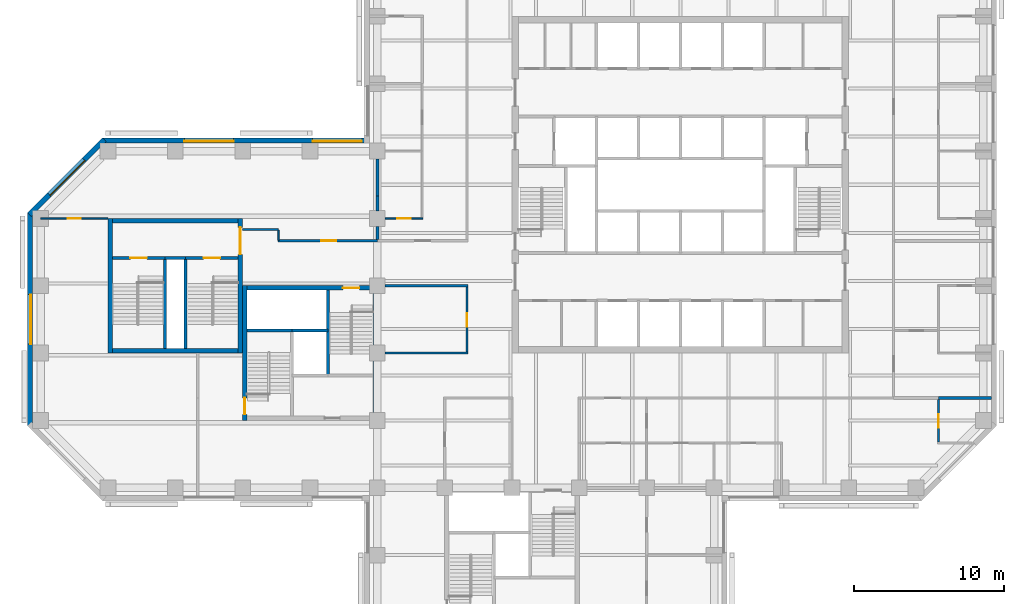
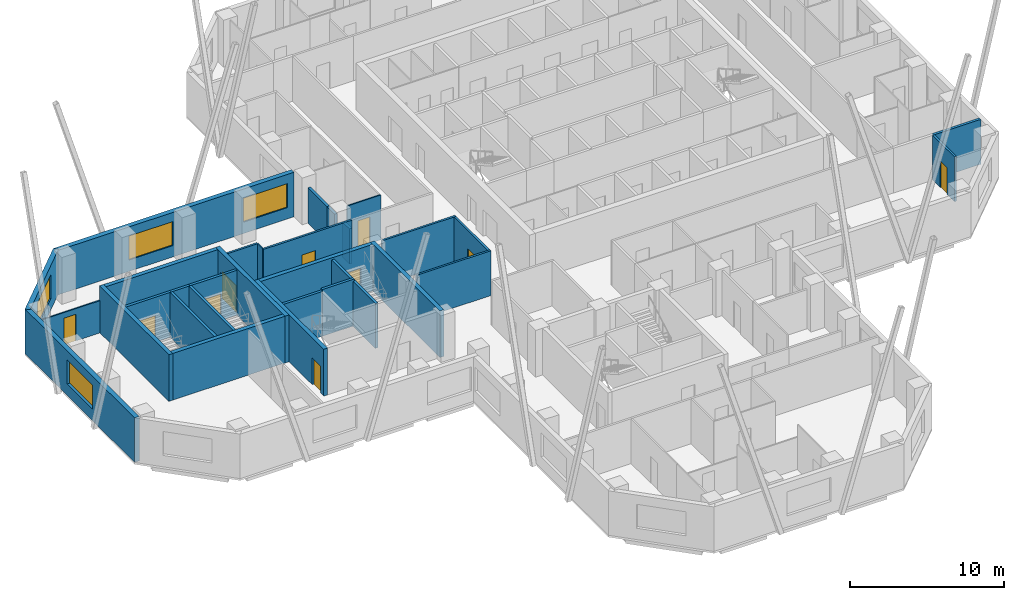
# One storey, part 5 of 11: 31 walls, 10 doors, 4 windows, 14 openings.
"""IFC4 building model written with IfcOpenShell, lengths in metres."""

from ifc_helpers import new_model, si_unit, direction, frame, frame_2d, origin, place, context, subcontext, project, spatial, rectangle, extrude, material, layer, layer_set, constituent, constituent_set, type_object, element, fill, save


model = new_model("IFC4")

# Units and contexts
model_context = context("Model", 3, precision=1e-05, world=origin(), true_north=direction((0.0, 1.0)))
body_context = subcontext(model_context, "Body", "Model", "MODEL_VIEW")
ifc_project = project(units=[si_unit("LENGTHUNIT", "METRE"), si_unit("AREAUNIT", "SQUARE_METRE"), si_unit("VOLUMEUNIT", "CUBIC_METRE"), si_unit("PLANEANGLEUNIT", "RADIAN"), si_unit("MASSUNIT", "GRAM", prefix="KILO")], contexts=[model_context])

# Site, building, storey
site_placement = place(None, origin())
site = spatial("IfcSite", under=ifc_project, at=site_placement, CompositionType="ELEMENT")
building_placement = place(site_placement, origin())
building = spatial("IfcBuilding", under=site, at=building_placement, Name="Quoin Convention Tower", CompositionType="ELEMENT")
storey_placement = place(building_placement, frame((0.0, 0.0, 112.199951171875)))
storey = spatial("IfcBuildingStorey", under=building, at=storey_placement, Name="L29", CompositionType="ELEMENT", Elevation=112.199951171875)

# Wall, openings, windows
ifc_material_1 = material(Name="Brick masonry", Category="masonry")
ifc_layer_1 = layer(ifc_material_1, 0.35009765625)
ifc_layer_set_1 = layer_set([ifc_layer_1], Name="Brick masonry")
wall_type_1 = type_object("IfcWallType", Name="Brick facade wall", PredefinedType="STANDARD", material=ifc_layer_set_1)
wall_1_placement = place(storey_placement, frame((35.47509765625, 63.699951171875, 0.0), z_axis=(0.0, 0.0, 1.0), x_axis=(-1.0, 0.0, 0.0)))
wall_1 = element("IfcWall", 1, at=wall_1_placement, inside=storey, type_object=wall_type_1, Name="fw-L29-36000_63000", PredefinedType="STANDARD", context=body_context, shape_type="SweptSolid", body=[
    extrude(rectangle(XDim=17.83740234375, YDim=0.35009765625, at=frame_2d((8.918701171875, 0.0))), origin(), (0.0, 0.0, 1.0), 3.525146484375),
])
opening_1_placement = place(wall_1_placement, frame((0.5, 0.0, 0.89990234375)))
opening_1 = element("IfcOpeningElement", 2, at=opening_1_placement, cuts=wall_1, Name="Opening W-02", PredefinedType="OPENING", context=body_context, shape_type="SweptSolid", body=[
    extrude(rectangle(XDim=3.300048828125, YDim=1.89990234375, at=frame_2d((1.64990234375, 0.949951171875))), frame((0.0, 0.18505859375, 0.0), z_axis=(0.0, -1.0, 0.0), x_axis=(1.0, 0.0, 0.0)), (0.0, 0.0, 1.0), 0.3701171875),
])
opening_2_placement = place(wall_1_placement, frame((9.074951171875, 0.0, 0.89990234375)))
opening_2 = element("IfcOpeningElement", 3, at=opening_2_placement, cuts=wall_1, Name="Opening W-02", PredefinedType="OPENING", context=body_context, shape_type="SweptSolid", body=[
    extrude(rectangle(XDim=3.300048828125, YDim=1.89990234375, at=frame_2d((1.64990234375, 0.949951171875))), frame((0.0, 0.18505859375, 0.0), z_axis=(0.0, -1.0, 0.0), x_axis=(1.0, 0.0, 0.0)), (0.0, 0.0, 1.0), 0.3701171875),
])
ifc_material_2 = material(Name="Aluminium", Category="aluminium")
ifc_constituent_1 = constituent(ifc_material_2, Name="Frame")
ifc_material_3 = material(Name="Insulated glass", Category="glass")
ifc_constituent_2 = constituent(ifc_material_3, Name="Glazing")
ifc_constituent_set = constituent_set(constituents=[ifc_constituent_1, ifc_constituent_2], Name="Aluminium")
window_type = type_object("IfcWindowType", Name="Office window", PartitioningType="DOUBLE_PANEL_VERTICAL", PredefinedType="WINDOW", material=ifc_constituent_set)
window_1_placement = place(opening_1_placement, origin())
window_1 = element("IfcWindow", 4, at=window_1_placement, inside=storey, type_object=window_type, Name="win-L29-33750_63700", OverallHeight=1.89990234375, OverallWidth=3.300048828125, PartitioningType="SINGLE_PANEL", PredefinedType="WINDOW", context=body_context, shape_type="SweptSolid", body=[
    extrude(rectangle(XDim=3.300048828125, YDim=1.89990234375, at=frame_2d((1.64990234375, 0.949951171875))), frame((0.0, 0.0849609375, 0.0), z_axis=(0.0, -1.0, 0.0), x_axis=(1.0, 0.0, 0.0)), (0.0, 0.0, 1.0), 0.06005859375),
])
fill(opening_1, window_1)
window_2_placement = place(opening_2_placement, origin())
window_2 = element("IfcWindow", 5, at=window_2_placement, inside=storey, type_object=window_type, Name="win-L29-24750_63700", OverallHeight=1.89990234375, OverallWidth=3.300048828125, PartitioningType="SINGLE_PANEL", PredefinedType="WINDOW", context=body_context, shape_type="SweptSolid", body=[
    extrude(rectangle(XDim=3.300048828125, YDim=1.89990234375, at=frame_2d((1.64990234375, 0.949951171875))), frame((0.0, 0.0849609375, 0.0), z_axis=(0.0, -1.0, 0.0), x_axis=(1.0, 0.0, 0.0)), (0.0, 0.0, 1.0), 0.06005859375),
])
fill(opening_2, window_2)

# Wall, opening, window
wall_2_placement = place(storey_placement, frame((17.76123046875, 63.751220703125, 0.0), z_axis=(0.0, 0.0, 1.0), x_axis=(-0.707106781187, -0.707106781187, 0.0)))
wall_2 = element("IfcWall", 6, at=wall_2_placement, inside=storey, type_object=wall_type_1, Name="fw-L29-18000_63000", PredefinedType="STANDARD", context=body_context, shape_type="SweptSolid", body=[
    extrude(rectangle(XDim=7.088623046875, YDim=0.35009765625, at=frame_2d((3.54443359375, 0.0))), origin(), (0.0, 0.0, 1.0), 3.525146484375),
])
opening_3_placement = place(wall_2_placement, frame((1.894287109375, 0.0, 0.89990234375)))
opening_3 = element("IfcOpeningElement", 7, at=opening_3_placement, cuts=wall_2, Name="Opening W-02", PredefinedType="OPENING", context=body_context, shape_type="SweptSolid", body=[
    extrude(rectangle(XDim=3.300048828125, YDim=1.89990234375, at=frame_2d((1.64990234375, 0.949951171875))), frame((0.0, 0.18505859375, 0.0), z_axis=(0.0, -1.0, 0.0), x_axis=(1.0, 0.0, 0.0)), (0.0, 0.0, 1.0), 0.3701171875),
])
window_3_placement = place(opening_3_placement, origin())
window_3 = element("IfcWindow", 8, at=window_3_placement, inside=storey, type_object=window_type, Name="win-L29-15255_61245", OverallHeight=1.89990234375, OverallWidth=3.300048828125, PartitioningType="SINGLE_PANEL", PredefinedType="WINDOW", context=body_context, shape_type="SweptSolid", body=[
    extrude(rectangle(XDim=3.300048828125, YDim=1.89990234375, at=frame_2d((1.64990234375, 0.949951171875))), frame((0.0, 0.0849609375, 0.0), z_axis=(0.0, -1.0, 0.0), x_axis=(1.0, 0.0, 0.0)), (0.0, 0.0, 1.0), 0.06005859375),
])
fill(opening_3, window_3)

wall_3_placement = place(storey_placement, frame((12.800048828125, 58.8623046875, 0.0), z_axis=(0.0, 0.0, 1.0), x_axis=(0.0, -1.0, 0.0)))
wall_3 = element("IfcWall", 9, at=wall_3_placement, inside=storey, type_object=wall_type_1, Name="fw-L29-13500_58500", PredefinedType="STANDARD", context=body_context, shape_type="SweptSolid", body=[
    extrude(rectangle(XDim=14.224609375, YDim=0.35009765625, at=frame_2d((7.1123046875, 0.0))), origin(), (0.0, 0.0, 1.0), 3.525146484375),
])
opening_4_placement = place(wall_3_placement, frame((5.46240234375, 0.0, 0.89990234375)))
opening_4 = element("IfcOpeningElement", 10, at=opening_4_placement, cuts=wall_3, Name="Opening W-02", PredefinedType="OPENING", context=body_context, shape_type="SweptSolid", body=[
    extrude(rectangle(XDim=3.300048828125, YDim=1.89990234375, at=frame_2d((1.64990234375, 0.949951171875))), frame((0.0, 0.18505859375, 0.0), z_axis=(0.0, -1.0, 0.0), x_axis=(1.0, 0.0, 0.0)), (0.0, 0.0, 1.0), 0.3701171875),
])
window_4_placement = place(opening_4_placement, origin())
window_4 = element("IfcWindow", 11, at=window_4_placement, inside=storey, type_object=window_type, Name="win-L29-12800_51750", OverallHeight=1.89990234375, OverallWidth=3.300048828125, PartitioningType="SINGLE_PANEL", PredefinedType="WINDOW", context=body_context, shape_type="SweptSolid", body=[
    extrude(rectangle(XDim=3.300048828125, YDim=1.89990234375, at=frame_2d((1.64990234375, 0.949951171875))), frame((0.0, 0.0849609375, 0.0), z_axis=(0.0, -1.0, 0.0), x_axis=(1.0, 0.0, 0.0)), (0.0, 0.0, 1.0), 0.06005859375),
])
fill(opening_4, window_4)

# Walls
ifc_material_4 = material(Name="Concrete C50", Category="concrete")
ifc_layer_2 = layer(ifc_material_4, 0.199951171875)
ifc_layer_set_2 = layer_set([ifc_layer_2], Name="Concrete C50")
wall_type_2 = type_object("IfcWallType", Name="Core shaft wall", PredefinedType="SOLIDWALL", material=ifc_layer_set_2)
wall_4_placement = place(storey_placement, frame((27.300048828125, 51.0, 0.0), z_axis=(0.0, 0.0, 1.0), x_axis=(1.0, 0.0, 0.0)))
element("IfcWall", 12, at=wall_4_placement, inside=storey, type_object=wall_type_2, Name="cr-P2-L29-h6000_300", PredefinedType="SOLIDWALL", context=body_context, shape_type="SweptSolid", body=[
    extrude(rectangle(XDim=3.0, YDim=0.199951171875, at=frame_2d((1.5, 0.0))), origin(), (0.0, 0.0, 1.0), 3.550048828125),
])
wall_5_placement = place(storey_placement, frame((32.699951171875, 48.0, 0.0), z_axis=(0.0, 0.0, 1.0), x_axis=(0.0, 1.0, 0.0)))
element("IfcWall", 13, at=wall_5_placement, inside=storey, type_object=wall_type_2, Name="cr-P2-L29-v5700_3000", PredefinedType="SOLIDWALL", context=body_context, shape_type="SweptSolid", body=[
    extrude(rectangle(XDim=5.699951171875, YDim=0.199951171875, at=frame_2d((2.85009765625, 0.0))), origin(), (0.0, 0.0, 1.0), 3.550048828125),
])
wall_6_placement = place(storey_placement, frame((21.800048828125, 55.85009765625, 0.0), z_axis=(0.0, 0.0, 1.0), x_axis=(1.0, 0.0, 0.0)))
element("IfcWall", 14, at=wall_6_placement, inside=storey, type_object=wall_type_2, Name="cr-P6-L29-h6350_3800", PredefinedType="SOLIDWALL", context=body_context, shape_type="SweptSolid", body=[
    extrude(rectangle(XDim=1.39990234375, YDim=0.199951171875, at=frame_2d((0.699951171875, 0.0))), origin(), (0.0, 0.0, 1.0), 3.550048828125),
])

# Wall, opening, door
wall_7_placement = place(storey_placement, frame((18.300048828125, 55.85009765625, 0.0), z_axis=(0.0, 0.0, 1.0), x_axis=(1.0, 0.0, 0.0)))
wall_7 = element("IfcWall", 15, at=wall_7_placement, inside=storey, type_object=wall_type_2, Name="cr-P6-L29-h6350_300", PredefinedType="SOLIDWALL", context=body_context, shape_type="SweptSolid", body=[
    extrude(rectangle(XDim=3.5, YDim=0.199951171875, at=frame_2d((1.75, 0.0))), origin(), (0.0, 0.0, 1.0), 3.550048828125),
])
opening_5_placement = place(wall_7_placement, frame((1.199951171875, 0.0, 0.0)))
opening_5 = element("IfcOpeningElement", 16, at=opening_5_placement, cuts=wall_7, Name="Opening SD11", PredefinedType="OPENING", context=body_context, shape_type="SweptSolid", body=[
    extrude(rectangle(XDim=1.10009765625, YDim=2.10009765625, at=frame_2d((0.550048828125, 1.050048828125))), frame((0.0, 0.10986328125, 0.0), z_axis=(0.0, -1.0, 0.0), x_axis=(1.0, 0.0, 0.0)), (0.0, 0.0, 1.0), 0.219970703125),
])
ifc_material_5 = material(Name="Steel door leaf", Category="steel")
door_type_1 = type_object("IfcDoorType", Name="Stair door 1100 x 2100", OperationType="SINGLE_SWING_RIGHT", PredefinedType="DOOR", material=ifc_material_5)
door_1_placement = place(opening_5_placement, origin())
door_1 = element("IfcDoor", 17, at=door_1_placement, inside=storey, type_object=door_type_1, Name="cd-P6-L29-SA-R2-SD11", OperationType="SINGLE_SWING_RIGHT", OverallHeight=2.10009765625, OverallWidth=1.10009765625, PredefinedType="DOOR", context=body_context, shape_type="SweptSolid", body=[
    extrude(rectangle(XDim=1.10009765625, YDim=2.10009765625, at=frame_2d((0.550048828125, 1.050048828125))), frame((0.0, 0.02490234375, 0.0), z_axis=(0.0, -1.0, 0.0), x_axis=(1.0, 0.0, 0.0)), (0.0, 0.0, 1.0), 0.050048828125),
])
fill(opening_5, door_1)

wall_8_placement = place(storey_placement, frame((23.199951171875, 55.85009765625, 0.0), z_axis=(0.0, 0.0, 1.0), x_axis=(1.0, 0.0, 0.0)))
wall_8 = element("IfcWall", 18, at=wall_8_placement, inside=storey, type_object=wall_type_2, Name="cr-P6-L29-h6350_5200", PredefinedType="SOLIDWALL", context=body_context, shape_type="SweptSolid", body=[
    extrude(rectangle(XDim=3.5, YDim=0.199951171875, at=frame_2d((1.75, 0.0))), origin(), (0.0, 0.0, 1.0), 3.550048828125),
])
opening_6_placement = place(wall_8_placement, frame((1.199951171875, 0.0, 0.0)))
opening_6 = element("IfcOpeningElement", 19, at=opening_6_placement, cuts=wall_8, Name="Opening SD12", PredefinedType="OPENING", context=body_context, shape_type="SweptSolid", body=[
    extrude(rectangle(XDim=1.10009765625, YDim=2.10009765625, at=frame_2d((0.550048828125, 1.050048828125))), frame((0.0, 0.10986328125, 0.0), z_axis=(0.0, -1.0, 0.0), x_axis=(1.0, 0.0, 0.0)), (0.0, 0.0, 1.0), 0.219970703125),
])
door_2_placement = place(opening_6_placement, origin())
door_2 = element("IfcDoor", 20, at=door_2_placement, inside=storey, type_object=door_type_1, Name="cd-P6-L29-SB-R2-SD12", OperationType="SINGLE_SWING_RIGHT", OverallHeight=2.10009765625, OverallWidth=1.10009765625, PredefinedType="DOOR", context=body_context, shape_type="SweptSolid", body=[
    extrude(rectangle(XDim=1.10009765625, YDim=2.10009765625, at=frame_2d((0.550048828125, 1.050048828125))), frame((0.0, 0.02490234375, 0.0), z_axis=(0.0, -1.0, 0.0), x_axis=(1.0, 0.0, 0.0)), (0.0, 0.0, 1.0), 0.050048828125),
])
fill(opening_6, door_2)

# Walls
for number, where, z_axis, x_axis, name in (
    (21, (21.800048828125, 49.800048828125, 0.0), (0.0, 0.0, 1.0), (0.0, 1.0, 0.0), "cr-P6-L29-v3800_300"),
    (22, (23.199951171875, 49.800048828125, 0.0), (0.0, 0.0, 1.0), (0.0, 1.0, 0.0), "cr-P6-L29-v5200_300"),
):
    element("IfcWall", number, at=place(storey_placement, frame(where, z_axis=z_axis, x_axis=x_axis)), inside=storey, type_object=wall_type_2, Name=name, PredefinedType="SOLIDWALL", context=body_context, shape_type="SweptSolid", body=[
        extrude(rectangle(XDim=6.050048828125, YDim=0.199951171875, at=frame_2d((3.02490234375, 0.0))), origin(), (0.0, 0.0, 1.0), 3.550048828125),
    ])
ifc_layer_3 = layer(ifc_material_4, 0.199951171875)
ifc_layer_set_3 = layer_set([ifc_layer_3], Name="Concrete C50")
wall_type_3 = type_object("IfcWallType", Name="Core shaft wall to the floor level over", PredefinedType="SOLIDWALL", material=ifc_layer_set_3)
wall_9_placement = place(storey_placement, frame((30.300048828125, 51.0, 0.0), z_axis=(0.0, 0.0, 1.0), x_axis=(1.0, 0.0, 0.0)))
element("IfcWall", 23, at=wall_9_placement, inside=storey, type_object=wall_type_3, Name="cr-P2-L29-h6000_3300", PredefinedType="SOLIDWALL", context=body_context, shape_type="SweptSolid", body=[
    extrude(rectangle(XDim=2.39990234375, YDim=0.199951171875, at=frame_2d((1.199951171875, 0.0))), origin(), (0.0, 0.0, 1.0), 3.699951171875),
])
ifc_material_6 = material(Name="Plasterboard")
ifc_layer_4 = layer(ifc_material_6, 0.012451171875, Name="Finish")
ifc_material_7 = material(Name="Steel stud framing", Category="steel")
ifc_layer_5 = layer(ifc_material_7, 0.125, Name="Structure")
ifc_layer_6 = layer(ifc_material_6, 0.012451171875, Name="Finish")
ifc_layer_set_4 = layer_set([ifc_layer_4, ifc_layer_5, ifc_layer_6], Name="Steel stud framing")
wall_type_4 = type_object("IfcWallType", Name="Corridor wall 150", PredefinedType="PARTITIONING", material=ifc_layer_set_4)
for number, where, z_axis, x_axis, name in (
    (24, (36.52490234375, 49.5, 0.0), (0.0, 0.0, 1.0), (1.0, 0.0, 0.0), "pw-L29-026"),
    (25, (36.52490234375, 54.0, 0.0), (0.0, 0.0, 1.0), (1.0, 0.0, 0.0), "pw-L29-031"),
):
    element("IfcWall", number, at=place(storey_placement, frame(where, z_axis=z_axis, x_axis=x_axis)), inside=storey, type_object=wall_type_4, Name=name, PredefinedType="PARTITIONING", context=body_context, shape_type="SweptSolid", body=[
        extrude(rectangle(XDim=5.550048828125, YDim=0.14990234375, at=frame_2d((2.77490234375, 0.0))), origin(), (0.0, 0.0, 1.0), 3.550048828125),
    ])

# Wall, opening, door
wall_10_placement = place(storey_placement, frame((29.3798828125, 57.0, 0.0), z_axis=(0.0, 0.0, 1.0), x_axis=(1.0, 0.0, 0.0)))
wall_10 = element("IfcWall", 26, at=wall_10_placement, inside=storey, type_object=wall_type_4, Name="pw-L29-034", PredefinedType="PARTITIONING", context=body_context, shape_type="SweptSolid", body=[
    extrude(rectangle(XDim=6.6201171875, YDim=0.14990234375, at=frame_2d((3.31005859375, 0.0))), origin(), (0.0, 0.0, 1.0), 3.550048828125),
])
opening_7_placement = place(wall_10_placement, frame((2.8798828125, 0.0, 0.0)))
opening_7 = element("IfcOpeningElement", 27, at=opening_7_placement, cuts=wall_10, Name="Opening DOL5-11", PredefinedType="OPENING", context=body_context, shape_type="SweptSolid", body=[
    extrude(rectangle(XDim=1.0, YDim=2.10009765625, at=frame_2d((0.5, 1.050048828125))), frame((0.0, 0.0849609375, 0.0), z_axis=(0.0, -1.0, 0.0), x_axis=(1.0, 0.0, 0.0)), (0.0, 0.0, 1.0), 0.169921875),
])
door_type_2 = type_object("IfcDoorType", Name="Tenancy entrance door 1000 x 2100", OperationType="DOUBLE_DOOR_SINGLE_SWING", PredefinedType="DOOR", material=ifc_material_5)
door_3_placement = place(opening_7_placement, origin())
door_3 = element("IfcDoor", 28, at=door_3_placement, inside=storey, type_object=door_type_2, Name="dr-L29-w01", OperationType="DOUBLE_DOOR_SINGLE_SWING", OverallHeight=2.10009765625, OverallWidth=1.0, PredefinedType="DOOR", context=body_context, shape_type="SweptSolid", body=[
    extrude(rectangle(XDim=1.0, YDim=2.10009765625, at=frame_2d((0.5, 1.050048828125))), frame((0.0, 0.02490234375, 0.0), z_axis=(0.0, -1.0, 0.0), x_axis=(1.0, 0.0, 0.0)), (0.0, 0.0, 1.0), 0.050048828125),
])
fill(opening_7, door_3)

wall_11_placement = place(storey_placement, frame((42.0, 49.574951171875, 0.0), z_axis=(0.0, 0.0, 1.0), x_axis=(0.0, 1.0, 0.0)))
wall_11 = element("IfcWall", 29, at=wall_11_placement, inside=storey, type_object=wall_type_4, Name="pw-L29-088", PredefinedType="PARTITIONING", context=body_context, shape_type="SweptSolid", body=[
    extrude(rectangle(XDim=4.35009765625, YDim=0.14990234375, at=frame_2d((2.175048828125, 0.0))), origin(), (0.0, 0.0, 1.0), 3.550048828125),
])
opening_8_placement = place(wall_11_placement, frame((1.699951171875, 0.0, 0.0)))
opening_8 = element("IfcOpeningElement", 30, at=opening_8_placement, cuts=wall_11, Name="Opening DOL5-32", PredefinedType="OPENING", context=body_context, shape_type="SweptSolid", body=[
    extrude(rectangle(XDim=0.89990234375, YDim=2.10009765625, at=frame_2d((0.449951171875, 1.050048828125))), frame((0.0, 0.0849609375, 0.0), z_axis=(0.0, -1.0, 0.0), x_axis=(1.0, 0.0, 0.0)), (0.0, 0.0, 1.0), 0.169921875),
])
door_type_3 = type_object("IfcDoorType", Name="Office door 900 x 2100", OperationType="SINGLE_SWING_RIGHT", PredefinedType="DOOR", material=ifc_material_5)
door_4_placement = place(opening_8_placement, origin())
door_4 = element("IfcDoor", 31, at=door_4_placement, inside=storey, type_object=door_type_3, Name="dr-L29-01", OperationType="SINGLE_SWING_RIGHT", OverallHeight=2.10009765625, OverallWidth=0.89990234375, PredefinedType="DOOR", context=body_context, shape_type="SweptSolid", body=[
    extrude(rectangle(XDim=0.89990234375, YDim=2.10009765625, at=frame_2d((0.449951171875, 1.050048828125))), frame((0.0, 0.02490234375, 0.0), z_axis=(0.0, -1.0, 0.0), x_axis=(1.0, 0.0, 0.0)), (0.0, 0.0, 1.0), 0.050048828125),
])
fill(opening_8, door_4)

# Wall
wall_12_placement = place(storey_placement, frame((27.0, 57.75, 0.0), z_axis=(0.0, 0.0, 1.0), x_axis=(1.0, 0.0, 0.0)))
element("IfcWall", 32, at=wall_12_placement, inside=storey, type_object=wall_type_4, Name="pw-L29-w02", PredefinedType="PARTITIONING", context=body_context, shape_type="SweptSolid", body=[
    extrude(rectangle(XDim=2.39990234375, YDim=0.14990234375, at=frame_2d((1.199951171875, 0.0))), origin(), (0.0, 0.0, 1.0), 3.550048828125),
])

# Wall, opening, door
ifc_material_8 = material(Name="Concrete C65", Category="concrete")
ifc_layer_7 = layer(ifc_material_8, 0.300048828125)
ifc_layer_set_5 = layer_set([ifc_layer_7], Name="Concrete C65")
wall_type_5 = type_object("IfcWallType", Name="RC CORE WALL 300 C65", PredefinedType="SHEAR", material=ifc_layer_set_5)
wall_13_placement = place(storey_placement, frame((27.300048828125, 53.85009765625, 0.0), z_axis=(0.0, 0.0, 1.0), x_axis=(1.0, 0.0, 0.0)))
wall_13 = element("IfcWall", 33, at=wall_13_placement, inside=storey, type_object=wall_type_5, Name="cwl-P2-L29-N", PredefinedType="SHEAR", context=body_context, shape_type="SweptSolid", body=[
    extrude(rectangle(XDim=8.39990234375, YDim=0.300048828125, at=frame_2d((4.199951171875, 0.0))), origin(), (0.0, 0.0, 1.0), 3.699951171875),
])
opening_9_placement = place(wall_13_placement, frame((6.39990234375, 0.0, 0.0)))
opening_9 = element("IfcOpeningElement", 34, at=opening_9_placement, cuts=wall_13, Name="Opening SD4", PredefinedType="OPENING", context=body_context, shape_type="SweptSolid", body=[
    extrude(rectangle(XDim=1.10009765625, YDim=2.10009765625, at=frame_2d((0.550048828125, 1.050048828125))), frame((0.0, 0.159912109375, 0.0), z_axis=(0.0, -1.0, 0.0), x_axis=(1.0, 0.0, 0.0)), (0.0, 0.0, 1.0), 0.320068359375),
])
door_5_placement = place(opening_9_placement, frame((1.10009765625, 0.0, 0.0), z_axis=(0.0, 0.0, 1.0), x_axis=(-1.0, 0.0, 0.0)))
door_5 = element("IfcDoor", 35, at=door_5_placement, inside=storey, type_object=door_type_1, Name="cd-P2-L29-SB-N", OperationType="SINGLE_SWING_LEFT", OverallHeight=2.10009765625, OverallWidth=1.10009765625, PredefinedType="DOOR", context=body_context, shape_type="SweptSolid", body=[
    extrude(rectangle(XDim=1.10009765625, YDim=2.10009765625, at=frame_2d((0.550048828125, 1.050048828125))), frame((0.0, 0.02490234375, 0.0), z_axis=(0.0, -1.0, 0.0), x_axis=(1.0, 0.0, 0.0)), (0.0, 0.0, 1.0), 0.050048828125),
])
fill(opening_9, door_5)

wall_14_placement = place(storey_placement, frame((27.14990234375, 45.0, 0.0), z_axis=(0.0, 0.0, 1.0), x_axis=(0.0, 1.0, 0.0)))
wall_14 = element("IfcWall", 36, at=wall_14_placement, inside=storey, type_object=wall_type_5, Name="cwl-P2-L29-W", PredefinedType="SHEAR", context=body_context, shape_type="SweptSolid", body=[
    extrude(rectangle(XDim=9.0, YDim=0.300048828125, at=frame_2d((4.5, 0.0))), origin(), (0.0, 0.0, 1.0), 3.699951171875),
])
opening_10_placement = place(wall_14_placement, frame((0.39990234375, 0.0, 0.0)))
opening_10 = element("IfcOpeningElement", 37, at=opening_10_placement, cuts=wall_14, Name="Opening SD3", PredefinedType="OPENING", context=body_context, shape_type="SweptSolid", body=[
    extrude(rectangle(XDim=1.10009765625, YDim=2.10009765625, at=frame_2d((0.550048828125, 1.050048828125))), frame((0.0, 0.159912109375, 0.0), z_axis=(0.0, -1.0, 0.0), x_axis=(1.0, 0.0, 0.0)), (0.0, 0.0, 1.0), 0.320068359375),
])
door_6_placement = place(opening_10_placement, frame((1.10009765625, 0.0, 0.0), z_axis=(0.0, 0.0, 1.0), x_axis=(-1.0, 0.0, 0.0)))
door_6 = element("IfcDoor", 38, at=door_6_placement, inside=storey, type_object=door_type_1, Name="cd-P2-L29-SA-W", OperationType="SINGLE_SWING_RIGHT", OverallHeight=2.10009765625, OverallWidth=1.10009765625, PredefinedType="DOOR", context=body_context, shape_type="SweptSolid", body=[
    extrude(rectangle(XDim=1.10009765625, YDim=2.10009765625, at=frame_2d((0.550048828125, 1.050048828125))), frame((0.0, 0.02490234375, 0.0), z_axis=(0.0, -1.0, 0.0), x_axis=(1.0, 0.0, 0.0)), (0.0, 0.0, 1.0), 0.050048828125),
])
fill(opening_10, door_6)

# Walls
wall_15_placement = place(storey_placement, frame((35.85009765625, 45.0, 0.0), z_axis=(0.0, 0.0, 1.0), x_axis=(0.0, 1.0, 0.0)))
element("IfcWall", 39, at=wall_15_placement, inside=storey, type_object=wall_type_5, Name="cwl-P2-L29-E", PredefinedType="SHEAR", context=body_context, shape_type="SweptSolid", body=[
    extrude(rectangle(XDim=9.0, YDim=0.300048828125, at=frame_2d((4.5, 0.0))), origin(), (0.0, 0.0, 1.0), 3.699951171875),
])
for number, where, z_axis, x_axis, name in (
    (40, (18.300048828125, 49.64990234375, 0.0), (0.0, 0.0, 1.0), (1.0, 0.0, 0.0), "cwl-P6-L29-S"),
    (41, (18.300048828125, 58.35009765625, 0.0), (0.0, 0.0, 1.0), (1.0, 0.0, 0.0), "cwl-P6-L29-N"),
):
    element("IfcWall", number, at=place(storey_placement, frame(where, z_axis=z_axis, x_axis=x_axis)), inside=storey, type_object=wall_type_5, Name=name, PredefinedType="SHEAR", context=body_context, shape_type="SweptSolid", body=[
        extrude(rectangle(XDim=8.39990234375, YDim=0.300048828125, at=frame_2d((4.199951171875, 0.0))), origin(), (0.0, 0.0, 1.0), 3.699951171875),
    ])
wall_16_placement = place(storey_placement, frame((18.14990234375, 49.5, 0.0), z_axis=(0.0, 0.0, 1.0), x_axis=(0.0, 1.0, 0.0)))
element("IfcWall", 42, at=wall_16_placement, inside=storey, type_object=wall_type_5, Name="cwl-P6-L29-W", PredefinedType="SHEAR", context=body_context, shape_type="SweptSolid", body=[
    extrude(rectangle(XDim=9.0, YDim=0.300048828125, at=frame_2d((4.5, 0.0))), origin(), (0.0, 0.0, 1.0), 3.699951171875),
])

# Wall, opening, door
wall_17_placement = place(storey_placement, frame((26.85009765625, 49.5, 0.0), z_axis=(0.0, 0.0, 1.0), x_axis=(0.0, 1.0, 0.0)))
wall_17 = element("IfcWall", 43, at=wall_17_placement, inside=storey, type_object=wall_type_5, Name="cwl-P6-L29-E", PredefinedType="SHEAR", context=body_context, shape_type="SweptSolid", body=[
    extrude(rectangle(XDim=9.0, YDim=0.300048828125, at=frame_2d((4.5, 0.0))), origin(), (0.0, 0.0, 1.0), 3.699951171875),
])
opening_11_placement = place(wall_17_placement, frame((6.60009765625, 0.0, 0.0)))
opening_11 = element("IfcOpeningElement", 44, at=opening_11_placement, cuts=wall_17, Name="Opening DCV4-45", PredefinedType="OPENING", context=body_context, shape_type="SweptSolid", body=[
    extrude(rectangle(XDim=1.800048828125, YDim=2.10009765625, at=frame_2d((0.89990234375, 1.050048828125))), frame((0.0, 0.159912109375, 0.0), z_axis=(0.0, -1.0, 0.0), x_axis=(1.0, 0.0, 0.0)), (0.0, 0.0, 1.0), 0.320068359375),
])
door_type_4 = type_object("IfcDoorType", Name="Goods lobby door 1800 x 2100", OperationType="SINGLE_SWING_LEFT", PredefinedType="DOOR", material=ifc_material_5)
door_7_placement = place(opening_11_placement, origin())
door_7 = element("IfcDoor", 45, at=door_7_placement, inside=storey, type_object=door_type_4, Name="cd-P6-L29-R2-E", OperationType="SINGLE_SWING_LEFT", OverallHeight=2.10009765625, OverallWidth=1.800048828125, PredefinedType="DOOR", context=body_context, shape_type="SweptSolid", body=[
    extrude(rectangle(XDim=1.800048828125, YDim=2.10009765625, at=frame_2d((0.89990234375, 1.050048828125))), frame((0.0, 0.02490234375, 0.0), z_axis=(0.0, -1.0, 0.0), x_axis=(1.0, 0.0, 0.0)), (0.0, 0.0, 1.0), 0.050048828125),
])
fill(opening_11, door_7)

ifc_layer_8 = layer(ifc_material_6, 0.012451171875, Name="Finish")
ifc_layer_9 = layer(ifc_material_7, 0.074951171875, Name="Structure")
ifc_layer_10 = layer(ifc_material_6, 0.012451171875, Name="Finish")
ifc_layer_set_6 = layer_set([ifc_layer_8, ifc_layer_9, ifc_layer_10], Name="Steel stud framing")
wall_type_6 = type_object("IfcWallType", Name="Stud partition 100", PredefinedType="PARTITIONING", material=ifc_layer_set_6)
wall_18_placement = place(storey_placement, frame((36.52490234375, 58.5, 0.0), z_axis=(0.0, 0.0, 1.0), x_axis=(1.0, 0.0, 0.0)))
wall_18 = element("IfcWall", 46, at=wall_18_placement, inside=storey, type_object=wall_type_6, Name="pw-L29-038", PredefinedType="PARTITIONING", context=body_context, shape_type="SweptSolid", body=[
    extrude(rectangle(XDim=2.525146484375, YDim=0.10009765625, at=frame_2d((1.2626953125, 0.0))), origin(), (0.0, 0.0, 1.0), 3.550048828125),
])
opening_12_placement = place(wall_18_placement, frame((0.800048828125, 0.0, 0.0)))
opening_12 = element("IfcOpeningElement", 47, at=opening_12_placement, cuts=wall_18, Name="Opening DOL5-13", PredefinedType="OPENING", context=body_context, shape_type="SweptSolid", body=[
    extrude(rectangle(XDim=0.89990234375, YDim=2.10009765625, at=frame_2d((0.449951171875, 1.050048828125))), frame((0.0, 0.06005859375, 0.0), z_axis=(0.0, -1.0, 0.0), x_axis=(1.0, 0.0, 0.0)), (0.0, 0.0, 1.0), 0.1201171875),
])
door_8_placement = place(opening_12_placement, frame((0.89990234375, 0.0, 0.0), z_axis=(0.0, 0.0, 1.0), x_axis=(-1.0, 0.0, 0.0)))
door_8 = element("IfcDoor", 48, at=door_8_placement, inside=storey, type_object=door_type_3, Name="dr-L29-39", OperationType="SINGLE_SWING_LEFT", OverallHeight=2.10009765625, OverallWidth=0.89990234375, PredefinedType="DOOR", context=body_context, shape_type="SweptSolid", body=[
    extrude(rectangle(XDim=0.89990234375, YDim=2.10009765625, at=frame_2d((0.449951171875, 1.050048828125))), frame((0.0, 0.02490234375, 0.0), z_axis=(0.0, -1.0, 0.0), x_axis=(1.0, 0.0, 0.0)), (0.0, 0.0, 1.0), 0.050048828125),
])
fill(opening_12, door_8)

# Wall
wall_19_placement = place(storey_placement, frame((29.39990234375, 57.715087890625, 0.0), z_axis=(0.0, 0.0, 1.0), x_axis=(0.0, -1.0, 0.0)))
element("IfcWall", 49, at=wall_19_placement, inside=storey, type_object=wall_type_6, Name="pw-L29-w03", PredefinedType="PARTITIONING", context=body_context, shape_type="SweptSolid", body=[
    extrude(rectangle(XDim=0.68017578125, YDim=0.10009765625, at=frame_2d((0.340087890625, 0.0))), origin(), (0.0, 0.0, 1.0), 3.550048828125),
])

# Wall, opening, door
ifc_layer_11 = layer(ifc_material_6, 0.012451171875, Name="Finish")
ifc_layer_12 = layer(ifc_material_7, 0.074951171875, Name="Structure")
ifc_layer_13 = layer(ifc_material_6, 0.012451171875, Name="Finish")
ifc_layer_set_7 = layer_set([ifc_layer_11, ifc_layer_12, ifc_layer_13], Name="Steel stud framing")
wall_type_7 = type_object("IfcWallType", Name="Stud partition 100 under beam 1000", PredefinedType="PARTITIONING", material=ifc_layer_set_7)
wall_20_placement = place(storey_placement, frame((13.5, 58.5, 0.0), z_axis=(0.0, 0.0, 1.0), x_axis=(1.0, 0.0, 0.0)))
wall_20 = element("IfcWall", 50, at=wall_20_placement, inside=storey, type_object=wall_type_7, Name="pw-L29-w01", PredefinedType="PARTITIONING", context=body_context, shape_type="SweptSolid", body=[
    extrude(rectangle(XDim=4.5, YDim=0.10009765625, at=frame_2d((2.25, 0.0))), origin(), (0.0, 0.0, 1.0), 2.550048828125),
])
opening_13_placement = place(wall_20_placement, frame((1.800048828125, 0.0, 0.0)))
opening_13 = element("IfcOpeningElement", 51, at=opening_13_placement, cuts=wall_20, Name="Opening DOL5-39", PredefinedType="OPENING", context=body_context, shape_type="SweptSolid", body=[
    extrude(rectangle(XDim=0.89990234375, YDim=2.10009765625, at=frame_2d((0.449951171875, 1.050048828125))), frame((0.0, 0.06005859375, 0.0), z_axis=(0.0, -1.0, 0.0), x_axis=(1.0, 0.0, 0.0)), (0.0, 0.0, 1.0), 0.1201171875),
])
door_9_placement = place(opening_13_placement, frame((0.89990234375, 0.0, 0.0), z_axis=(0.0, 0.0, 1.0), x_axis=(-1.0, 0.0, 0.0)))
door_9 = element("IfcDoor", 52, at=door_9_placement, inside=storey, type_object=door_type_3, Name="dr-L29-w02", OperationType="SINGLE_SWING_LEFT", OverallHeight=2.10009765625, OverallWidth=0.89990234375, PredefinedType="DOOR", context=body_context, shape_type="SweptSolid", body=[
    extrude(rectangle(XDim=0.89990234375, YDim=2.10009765625, at=frame_2d((0.449951171875, 1.050048828125))), frame((0.0, 0.02490234375, 0.0), z_axis=(0.0, -1.0, 0.0), x_axis=(1.0, 0.0, 0.0)), (0.0, 0.0, 1.0), 0.050048828125),
])
fill(opening_13, door_9)

# Walls
ifc_layer_14 = layer(ifc_material_6, 0.012451171875, Name="Finish")
ifc_layer_15 = layer(ifc_material_7, 0.175048828125, Name="Structure")
ifc_layer_16 = layer(ifc_material_6, 0.012451171875, Name="Finish")
ifc_layer_set_8 = layer_set([ifc_layer_14, ifc_layer_15, ifc_layer_16], Name="Steel stud framing")
wall_type_8 = type_object("IfcWallType", Name="Tenancy demising wall 200", PredefinedType="PARTITIONING", material=ifc_layer_set_8)
wall_21_placement = place(storey_placement, frame((73.5, 46.5, 0.0), z_axis=(0.0, 0.0, 1.0), x_axis=(1.0, 0.0, 0.0)))
element("IfcWall", 53, at=wall_21_placement, inside=storey, type_object=wall_type_8, Name="pw-L29-024", PredefinedType="PARTITIONING", context=body_context, shape_type="SweptSolid", body=[
    extrude(rectangle(XDim=3.52490234375, YDim=0.199951171875, at=frame_2d((1.762451171875, 0.0))), origin(), (0.0, 0.0, 1.0), 3.550048828125),
])
ifc_layer_17 = layer(ifc_material_6, 0.012451171875, Name="Finish")
ifc_layer_18 = layer(ifc_material_7, 0.175048828125, Name="Structure")
ifc_layer_19 = layer(ifc_material_6, 0.012451171875, Name="Finish")
ifc_layer_set_9 = layer_set([ifc_layer_17, ifc_layer_18, ifc_layer_19], Name="Steel stud framing")
wall_type_9 = type_object("IfcWallType", Name="Tenancy demising wall 200 under beam 750", PredefinedType="PARTITIONING", material=ifc_layer_set_9)
wall_22_placement = place(storey_placement, frame((36.0, 57.074951171875, 0.0), z_axis=(0.0, 0.0, 1.0), x_axis=(0.0, 1.0, 0.0)))
element("IfcWall", 54, at=wall_22_placement, inside=storey, type_object=wall_type_9, Name="pw-L29-096", PredefinedType="PARTITIONING", context=body_context, shape_type="SweptSolid", body=[
    extrude(rectangle(XDim=0.900146484375, YDim=0.199951171875, at=frame_2d((0.4501953125, 0.0))), origin(), (0.0, 0.0, 1.0), 2.800048828125),
])
wall_23_placement = place(storey_placement, frame((36.0, 58.9951171875, 0.0), z_axis=(0.0, 0.0, 1.0), x_axis=(0.0, 1.0, 0.0)))
element("IfcWall", 55, at=wall_23_placement, inside=storey, type_object=wall_type_9, Name="pw-L29-100", PredefinedType="PARTITIONING", context=body_context, shape_type="SweptSolid", body=[
    extrude(rectangle(XDim=1.0048828125, YDim=0.199951171875, at=frame_2d((0.50244140625, 0.0))), origin(), (0.0, 0.0, 1.0), 2.800048828125),
])
wall_24_placement = place(storey_placement, frame((36.0, 60.0, 0.0), z_axis=(0.0, 0.0, 1.0), x_axis=(0.0, 1.0, 0.0)))
element("IfcWall", 56, at=wall_24_placement, inside=storey, type_object=wall_type_9, Name="pw-L29-103", PredefinedType="PARTITIONING", context=body_context, shape_type="SweptSolid", body=[
    extrude(rectangle(XDim=2.47509765625, YDim=0.199951171875, at=frame_2d((1.237548828125, 0.0))), origin(), (0.0, 0.0, 1.0), 2.800048828125),
])

# Wall, opening, door
ifc_layer_20 = layer(ifc_material_6, 0.012451171875, Name="Finish")
ifc_layer_21 = layer(ifc_material_7, 0.125, Name="Structure")
ifc_layer_22 = layer(ifc_material_6, 0.012451171875, Name="Finish")
ifc_layer_set_10 = layer_set([ifc_layer_20, ifc_layer_21, ifc_layer_22], Name="Steel stud framing")
wall_type_10 = type_object("IfcWallType", Name="Wet area partition 150", PredefinedType="PARTITIONING", material=ifc_layer_set_10)
wall_25_placement = place(storey_placement, frame((73.5, 43.574951171875, 0.0), z_axis=(0.0, 0.0, 1.0), x_axis=(0.0, 1.0, 0.0)))
wall_25 = element("IfcWall", 57, at=wall_25_placement, inside=storey, type_object=wall_type_10, Name="pw-L29-080", PredefinedType="PARTITIONING", context=body_context, shape_type="SweptSolid", body=[
    extrude(rectangle(XDim=2.824951171875, YDim=0.14990234375, at=frame_2d((1.41259765625, 0.0))), origin(), (0.0, 0.0, 1.0), 3.550048828125),
])
opening_14_placement = place(wall_25_placement, frame((0.949951171875, 0.0, 0.0)))
opening_14 = element("IfcOpeningElement", 58, at=opening_14_placement, cuts=wall_25, Name="Opening DOL5-30", PredefinedType="OPENING", context=body_context, shape_type="SweptSolid", body=[
    extrude(rectangle(XDim=0.89990234375, YDim=2.10009765625, at=frame_2d((0.449951171875, 1.050048828125))), frame((0.0, 0.0849609375, 0.0), z_axis=(0.0, -1.0, 0.0), x_axis=(1.0, 0.0, 0.0)), (0.0, 0.0, 1.0), 0.169921875),
])
door_10_placement = place(opening_14_placement, origin())
door_10 = element("IfcDoor", 59, at=door_10_placement, inside=storey, type_object=door_type_3, Name="dr-L29-26", OperationType="SINGLE_SWING_RIGHT", OverallHeight=2.10009765625, OverallWidth=0.89990234375, PredefinedType="DOOR", context=body_context, shape_type="SweptSolid", body=[
    extrude(rectangle(XDim=0.89990234375, YDim=2.10009765625, at=frame_2d((0.449951171875, 1.050048828125))), frame((0.0, 0.02490234375, 0.0), z_axis=(0.0, -1.0, 0.0), x_axis=(1.0, 0.0, 0.0)), (0.0, 0.0, 1.0), 0.050048828125),
])
fill(opening_14, door_10)

save(model, "model.ifc")
